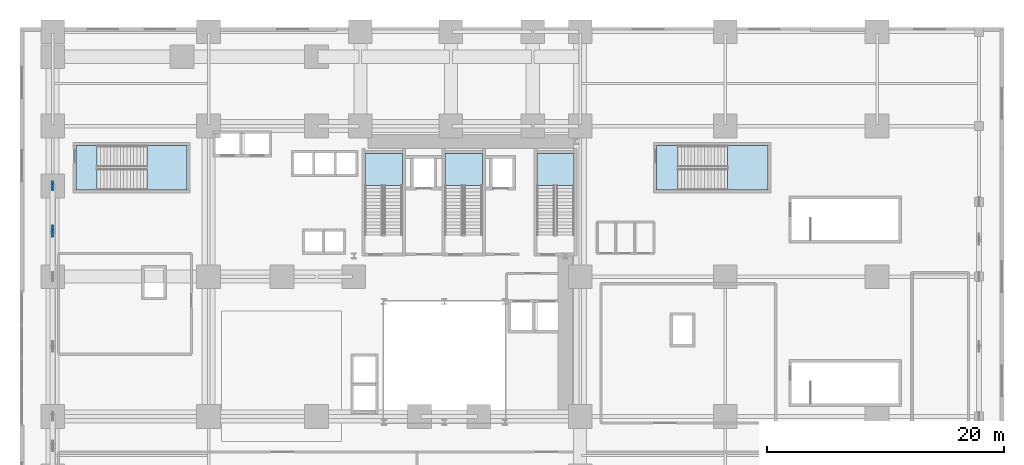
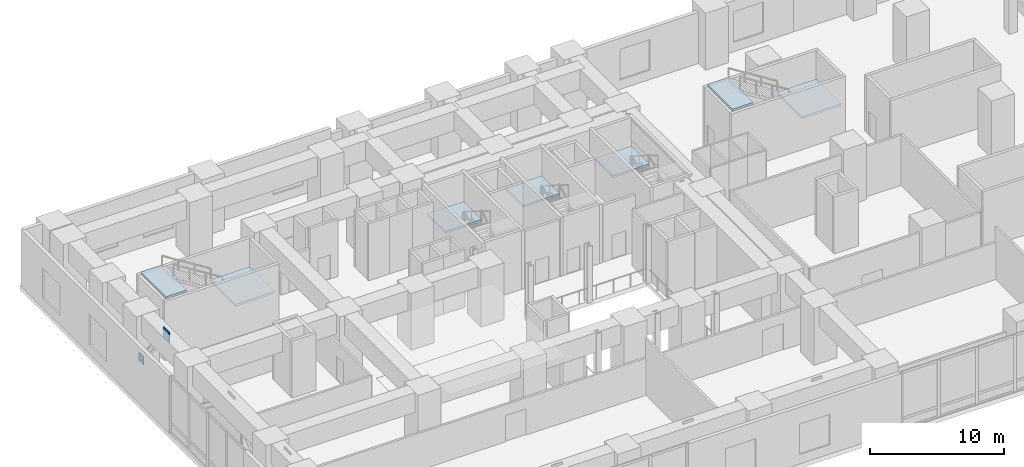
# One storey, part 9 of 17: 7 slabs, 2 plates, 5 elements without a shape of their own.
"""IFC4 building model written with IfcOpenShell, lengths in metres."""

from ifc_helpers import new_model, si_unit, direction, frame, origin, origin_2d, place, context, subcontext, project, spatial, polyline, rectangle, outline, extrude, source, transform, mapped, material, layer, layer_set, type_object, element, aggregate, save


model = new_model("IFC4")

# Units and contexts
model_context = context("Model", 3, precision=1e-05, world=origin(), true_north=direction((0.0, 1.0)))
body_context = subcontext(model_context, "Body", "Model", "MODEL_VIEW")
ifc_project = project(units=[si_unit("LENGTHUNIT", "METRE"), si_unit("AREAUNIT", "SQUARE_METRE"), si_unit("VOLUMEUNIT", "CUBIC_METRE"), si_unit("PLANEANGLEUNIT", "RADIAN"), si_unit("MASSUNIT", "GRAM", prefix="KILO")], contexts=[model_context])

# Site, building, storey
site_placement = place(None, origin())
site = spatial("IfcSite", under=ifc_project, at=site_placement, CompositionType="ELEMENT")
building_placement = place(site_placement, origin())
building = spatial("IfcBuilding", under=site, at=building_placement, Name="Vardaveli Station Tower", CompositionType="ELEMENT")
storey_placement = place(building_placement, frame((0.0, 0.0, 11.39990234375)))
storey = spatial("IfcBuildingStorey", under=building, at=storey_placement, Name="L03", CompositionType="ELEMENT", Elevation=11.39990234375)

# Stair, slab
ifc_material_1 = material(Name="Concrete C40/50", Category="concrete")
stair_type_1 = type_object("IfcStairType", Name="STR-CORE-1500", PredefinedType="HALF_TURN_STAIR", material=ifc_material_1)
stair_1_placement = place(storey_placement, origin())
stair_1 = element("IfcStair", 1, at=stair_1_placement, inside=storey, type_object=stair_type_1, Name="L03 ST-1", PredefinedType="HALF_TURN_STAIR")
ifc_layer_1 = layer(ifc_material_1, 0.199951171875, Name="Concrete C40/50")
ifc_layer_set_1 = layer_set([ifc_layer_1], Name="Concrete C40/50")
slab_type = type_object("IfcSlabType", Name="SLB-LAND-200", PredefinedType="LANDING", material=ifc_layer_set_1)
slab_1_placement = place(storey_placement, frame((0.0, 0.0, 2.60009765625)))
slab_1 = element("IfcSlab", 2, at=slab_1_placement, type_object=slab_type, Name="ST-1 landing 1", PredefinedType="LANDING", context=body_context, shape_type="SweptSolid", body=[
    extrude(outline(polyline([(32.75, 36.60009765625), (32.75, 39.300048828125), (29.60009765625, 39.300048828125), (29.60009765625, 36.60009765625), (32.75, 36.60009765625)])), origin(), (0.0, 0.0, 1.0), 0.199951171875),
])
aggregate(stair_1, [slab_1])

stair_2_placement = place(storey_placement, origin())
stair_2 = element("IfcStair", 3, at=stair_2_placement, inside=storey, type_object=stair_type_1, Name="L03 ST-2", PredefinedType="HALF_TURN_STAIR")
slab_2_placement = place(storey_placement, frame((0.0, 0.0, 2.60009765625)))
slab_2 = element("IfcSlab", 4, at=slab_2_placement, type_object=slab_type, Name="ST-2 landing 1", PredefinedType="LANDING", context=body_context, shape_type="SweptSolid", body=[
    extrude(outline(polyline([(39.5, 36.60009765625), (39.5, 39.300048828125), (36.35009765625, 39.300048828125), (36.35009765625, 36.60009765625), (39.5, 36.60009765625)])), origin(), (0.0, 0.0, 1.0), 0.199951171875),
])
aggregate(stair_2, [slab_2])

stair_3_placement = place(storey_placement, origin())
stair_3 = element("IfcStair", 5, at=stair_3_placement, inside=storey, type_object=stair_type_1, Name="L03 ST-3", PredefinedType="HALF_TURN_STAIR")
slab_3_placement = place(storey_placement, frame((0.0, 0.0, 2.60009765625)))
slab_3 = element("IfcSlab", 6, at=slab_3_placement, type_object=slab_type, Name="ST-3 landing 1", PredefinedType="LANDING", context=body_context, shape_type="SweptSolid", body=[
    extrude(outline(polyline([(47.25, 36.60009765625), (47.25, 39.300048828125), (44.10009765625, 39.300048828125), (44.10009765625, 36.60009765625), (47.25, 36.60009765625)])), origin(), (0.0, 0.0, 1.0), 0.199951171875),
])
aggregate(stair_3, [slab_3])

# Stair, slabs
stair_type_2 = type_object("IfcStairType", Name="STR-POD-1800", PredefinedType="HALF_TURN_STAIR", material=ifc_material_1)
stair_4_placement = place(storey_placement, origin())
stair_4 = element("IfcStair", 7, at=stair_4_placement, inside=storey, type_object=stair_type_2, Name="L03 ST-P1", PredefinedType="HALF_TURN_STAIR")
slab_4_placement = place(storey_placement, frame((0.0, 0.0, 2.60009765625)))
slab_4 = element("IfcSlab", 8, at=slab_4_placement, type_object=slab_type, Name="ST-P1 landing 1", PredefinedType="LANDING", context=body_context, shape_type="SweptSolid", body=[
    extrude(outline(polyline([(11.199951171875, 36.199951171875), (14.60009765625, 36.199951171875), (14.60009765625, 39.949951171875), (11.199951171875, 39.949951171875), (11.199951171875, 36.199951171875)])), origin(), (0.0, 0.0, 1.0), 0.199951171875),
])
slab_5_placement = place(storey_placement, frame((0.0, 0.0, 5.400146484375)))
slab_5 = element("IfcSlab", 9, at=slab_5_placement, type_object=slab_type, Name="ST-P1 landing 2", PredefinedType="LANDING", context=body_context, shape_type="SweptSolid", body=[
    extrude(outline(polyline([(5.199951171875, 36.199951171875), (7.0, 36.199951171875), (7.0, 39.949951171875), (5.199951171875, 39.949951171875), (5.199951171875, 36.199951171875)])), origin(), (0.0, 0.0, 1.0), 0.199951171875),
])
aggregate(stair_4, [slab_4, slab_5])

stair_5_placement = place(storey_placement, origin())
stair_5 = element("IfcStair", 10, at=stair_5_placement, inside=storey, type_object=stair_type_2, Name="L03 ST-P2", PredefinedType="HALF_TURN_STAIR")
slab_6_placement = place(storey_placement, frame((0.0, 0.0, 2.60009765625)))
slab_6 = element("IfcSlab", 11, at=slab_6_placement, type_object=slab_type, Name="ST-P2 landing 1", PredefinedType="LANDING", context=body_context, shape_type="SweptSolid", body=[
    extrude(outline(polyline([(60.199951171875, 36.199951171875), (63.60009765625, 36.199951171875), (63.60009765625, 39.949951171875), (60.199951171875, 39.949951171875), (60.199951171875, 36.199951171875)])), origin(), (0.0, 0.0, 1.0), 0.199951171875),
])
slab_7_placement = place(storey_placement, frame((0.0, 0.0, 5.400146484375)))
slab_7 = element("IfcSlab", 12, at=slab_7_placement, type_object=slab_type, Name="ST-P2 landing 2", PredefinedType="LANDING", context=body_context, shape_type="SweptSolid", body=[
    extrude(outline(polyline([(54.199951171875, 36.199951171875), (56.0, 36.199951171875), (56.0, 39.949951171875), (54.199951171875, 39.949951171875), (54.199951171875, 36.199951171875)])), origin(), (0.0, 0.0, 1.0), 0.199951171875),
])
aggregate(stair_5, [slab_6, slab_7])

# Plates
ifc_material_2 = material(Name="Structural steel S460M", Category="steel")
ifc_layer_2 = layer(ifc_material_2, 0.074951171875, Name="Structural steel S460M")
ifc_layer_set_2 = layer_set([ifc_layer_2], Name="Structural steel S460M")
plate_type_1 = type_object("IfcPlateType", Name="PLT-GUSSET-75", PredefinedType="USERDEFINED", material=ifc_layer_set_2)
shared_shape_1 = source(origin(), body_context, "Body", "SweptSolid", [
    extrude(rectangle(XDim=0.89990234375, YDim=0.074951171875, at=origin_2d()), origin(), (0.0, 0.0, 1.0), 0.89990234375),
])
plate_1_placement = place(storey_placement, frame((3.25, 32.719970703125, 4.500244140625), z_axis=(0.0, 0.0, 1.0), x_axis=(0.0, 1.0, 0.0)))
element("IfcPlate", 13, at=plate_1_placement, inside=storey, type_object=plate_type_1, Name="PLT-TN-04", ObjectType="GUSSET PLATE", PredefinedType="USERDEFINED", context=body_context, shape_type="MappedRepresentation", body=[
    mapped(shared_shape_1, transform((0.0, 0.0, 0.0), scale=1.0)),
])
ifc_layer_3 = layer(ifc_material_2, 0.06005859375, Name="Structural steel S460M")
ifc_layer_set_3 = layer_set([ifc_layer_3], Name="Structural steel S460M")
plate_type_2 = type_object("IfcPlateType", Name="PLT-GUSSET-60", PredefinedType="USERDEFINED", material=ifc_layer_set_3)
shared_shape_2 = source(origin(), body_context, "Body", "SweptSolid", [
    extrude(rectangle(XDim=0.75, YDim=0.06005859375, at=origin_2d()), origin(), (0.0, 0.0, 1.0), 0.75),
])
plate_2_placement = place(storey_placement, frame((3.25, 36.5400390625, 0.0751953125), z_axis=(0.0, 0.0, 1.0), x_axis=(0.0, 1.0, 0.0)))
element("IfcPlate", 14, at=plate_2_placement, inside=storey, type_object=plate_type_2, Name="PLT-TNB-05", ObjectType="GUSSET PLATE", PredefinedType="USERDEFINED", context=body_context, shape_type="MappedRepresentation", body=[
    mapped(shared_shape_2, transform((0.0, 0.0, 0.0), scale=1.0)),
])

save(model, "model.ifc")
